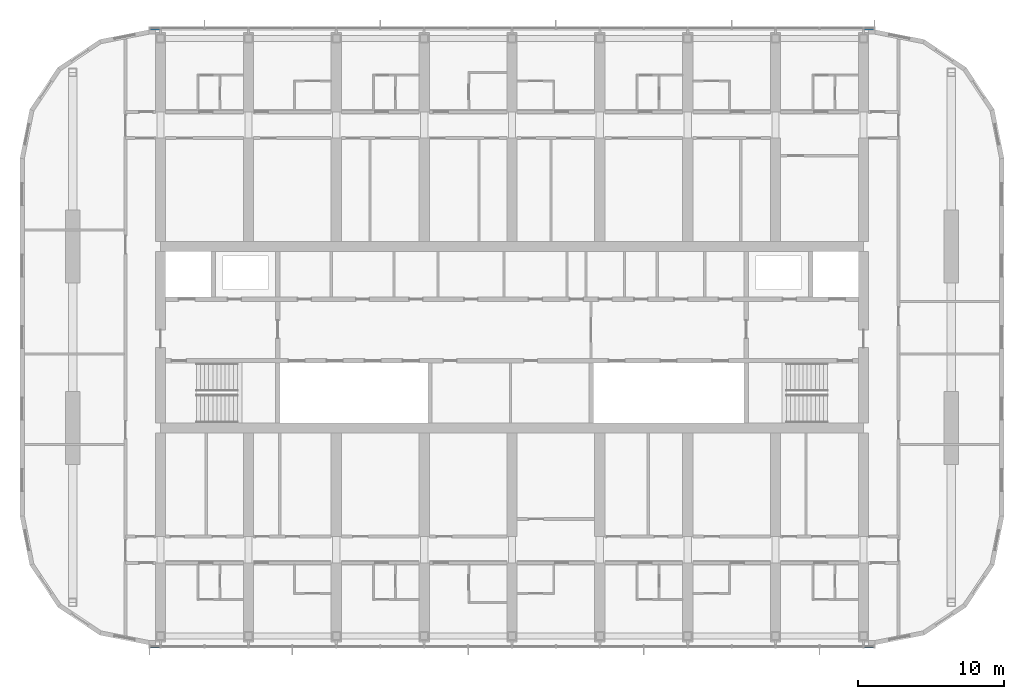
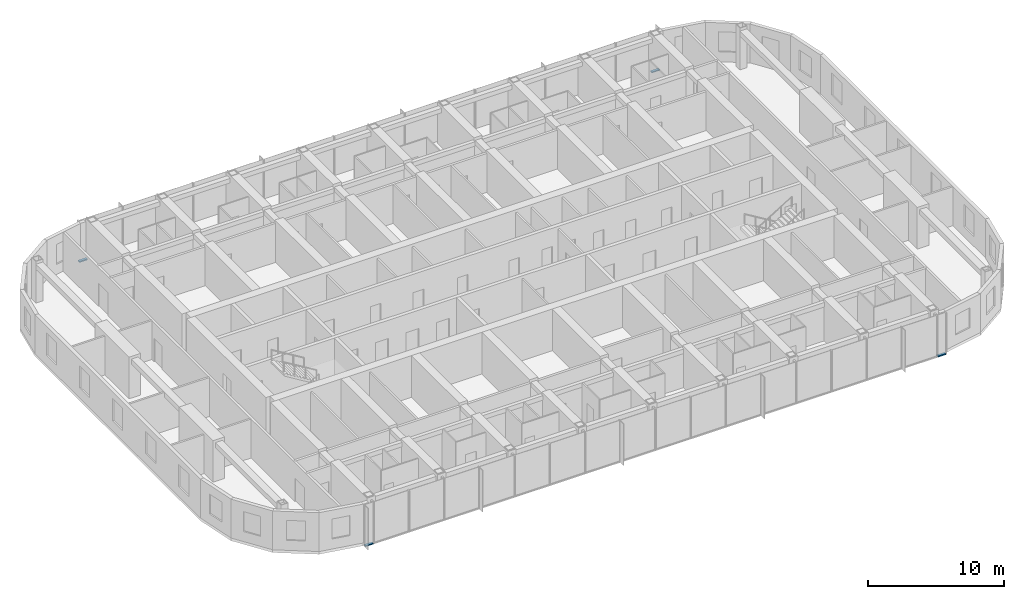
# One storey, part 6 of 23: 4 members, 2 elements without a shape of their own.
"""IFC4 building model written with IfcOpenShell, lengths in metres."""

from ifc_helpers import new_model, si_unit, direction, frame, origin, origin_2d, place, context, subcontext, project, spatial, rectangle, extrude, material, material_profile, profile_set, type_object, element, aggregate, save


model = new_model("IFC4")

# Units and contexts
model_context = context("Model", 3, precision=1e-05, world=origin(), true_north=direction((0.0, 1.0)))
body_context = subcontext(model_context, "Body", "Model", "MODEL_VIEW")
ifc_project = project(units=[si_unit("LENGTHUNIT", "METRE"), si_unit("AREAUNIT", "SQUARE_METRE"), si_unit("VOLUMEUNIT", "CUBIC_METRE"), si_unit("PLANEANGLEUNIT", "RADIAN"), si_unit("MASSUNIT", "GRAM", prefix="KILO")], contexts=[model_context])

# Site, building, storey
site_placement = place(None, origin())
site = spatial("IfcSite", under=ifc_project, at=site_placement, CompositionType="ELEMENT")
building_placement = place(site_placement, origin())
building = spatial("IfcBuilding", under=site, at=building_placement, Name="Orbita Commons", CompositionType="ELEMENT")
storey_placement = place(building_placement, frame((0.0, 0.0, 224.050048828125)))
storey = spatial("IfcBuildingStorey", under=building, at=storey_placement, Name="L55", CompositionType="ELEMENT", Elevation=224.050048828125)

# Curtain wall, members
ifc_material_1 = material(Name="Anodised aluminium frame, pale silver", Category="aluminium")
curtain_wall_type = type_object("IfcCurtainWallType", Name="Unitised curtain wall CW-U, full-height vision", PredefinedType="NOTDEFINED", material=ifc_material_1)
curtain_wall_1_placement = place(storey_placement, origin())
curtain_wall_1 = element("IfcCurtainWall", 1, at=curtain_wall_1_placement, inside=storey, type_object=curtain_wall_type, Name="Curtain wall south L55", PredefinedType="NOTDEFINED")
ifc_material_2 = material(Name="Anodised aluminium, pale silver", Category="aluminium")
ifc_material_profile = material_profile(ifc_material_2, rectangle(XDim=0.219970703125, YDim=0.10009765625, at=origin_2d()), Name="AL 220x100")
ifc_profile_set = profile_set([ifc_material_profile], Name="Anodised aluminium, pale silver")
member_type = type_object("IfcMemberType", Name="Curtain wall stack transom 220x100", PredefinedType="USERDEFINED", material=ifc_profile_set)
member_1_placement = place(storey_placement, frame((17.280029296875, 10.889892578125, -0.199951171875), z_axis=(1.0, 0.0, 0.0), x_axis=(0.0, 1.0, 0.0)))
member_1 = element("IfcMember", 2, at=member_1_placement, type_object=member_type, Name="Transom 1.1 CW-L55-S", ObjectType="TRANSOM", PredefinedType="USERDEFINED", context=body_context, shape_type="SweptSolid", body=[
    extrude(rectangle(XDim=0.219970703125, YDim=0.10009765625, at=origin_2d()), origin(), (0.0, 0.0, 1.0), 0.679931640625),
])
member_2_placement = place(storey_placement, frame((66.0400390625, 10.889892578125, -0.199951171875), z_axis=(1.0, 0.0, 0.0), x_axis=(0.0, 1.0, 0.0)))
member_2 = element("IfcMember", 3, at=member_2_placement, type_object=member_type, Name="Transom 18.1 CW-L55-S", ObjectType="TRANSOM", PredefinedType="USERDEFINED", context=body_context, shape_type="SweptSolid", body=[
    extrude(rectangle(XDim=0.219970703125, YDim=0.10009765625, at=origin_2d()), origin(), (0.0, 0.0, 1.0), 0.679931640625),
])
aggregate(curtain_wall_1, [member_1, member_2])

curtain_wall_2_placement = place(storey_placement, origin())
curtain_wall_2 = element("IfcCurtainWall", 4, at=curtain_wall_2_placement, inside=storey, type_object=curtain_wall_type, Name="Curtain wall north L55", PredefinedType="NOTDEFINED")
member_3_placement = place(storey_placement, frame((66.719970703125, 53.110107421875, -0.199951171875), z_axis=(-1.0, 0.0, 0.0), x_axis=(0.0, -1.0, 0.0)))
member_3 = element("IfcMember", 5, at=member_3_placement, type_object=member_type, Name="Transom 1.1 CW-L55-N", ObjectType="TRANSOM", PredefinedType="USERDEFINED", context=body_context, shape_type="SweptSolid", body=[
    extrude(rectangle(XDim=0.219970703125, YDim=0.10009765625, at=origin_2d()), origin(), (0.0, 0.0, 1.0), 0.679931640625),
])
member_4_placement = place(storey_placement, frame((17.9599609375, 53.110107421875, -0.199951171875), z_axis=(-1.0, 0.0, 0.0), x_axis=(0.0, -1.0, 0.0)))
member_4 = element("IfcMember", 6, at=member_4_placement, type_object=member_type, Name="Transom 18.1 CW-L55-N", ObjectType="TRANSOM", PredefinedType="USERDEFINED", context=body_context, shape_type="SweptSolid", body=[
    extrude(rectangle(XDim=0.219970703125, YDim=0.10009765625, at=origin_2d()), origin(), (0.0, 0.0, 1.0), 0.679931640625),
])
aggregate(curtain_wall_2, [member_3, member_4])

save(model, "model.ifc")
